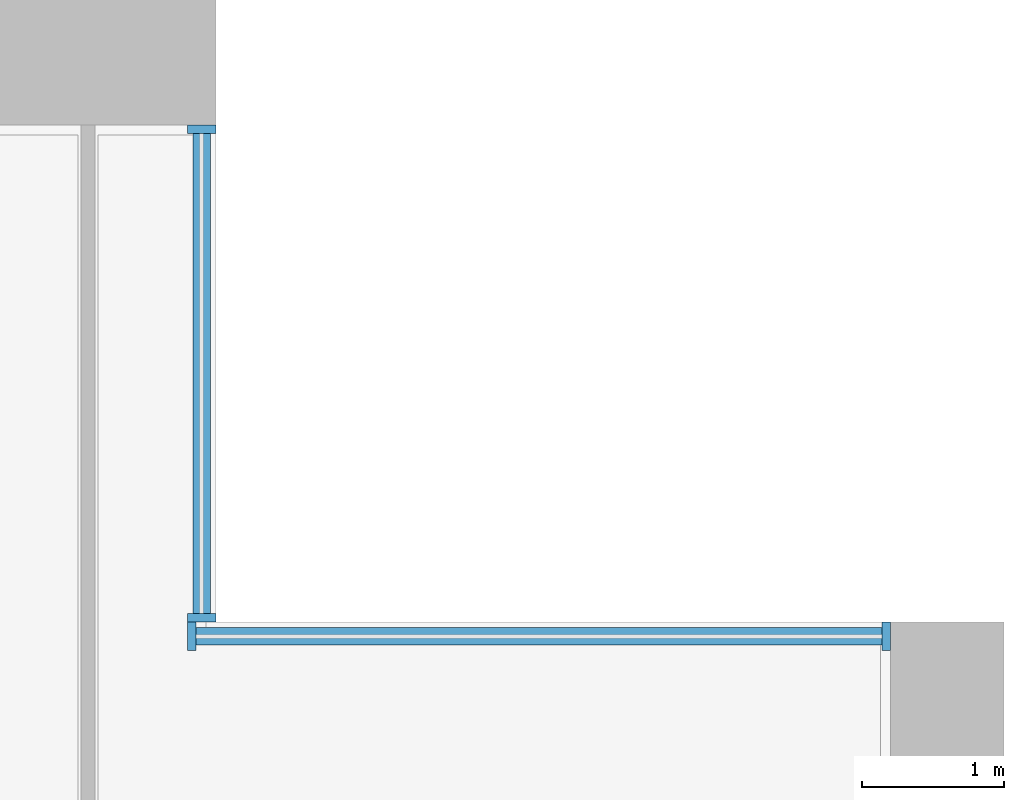
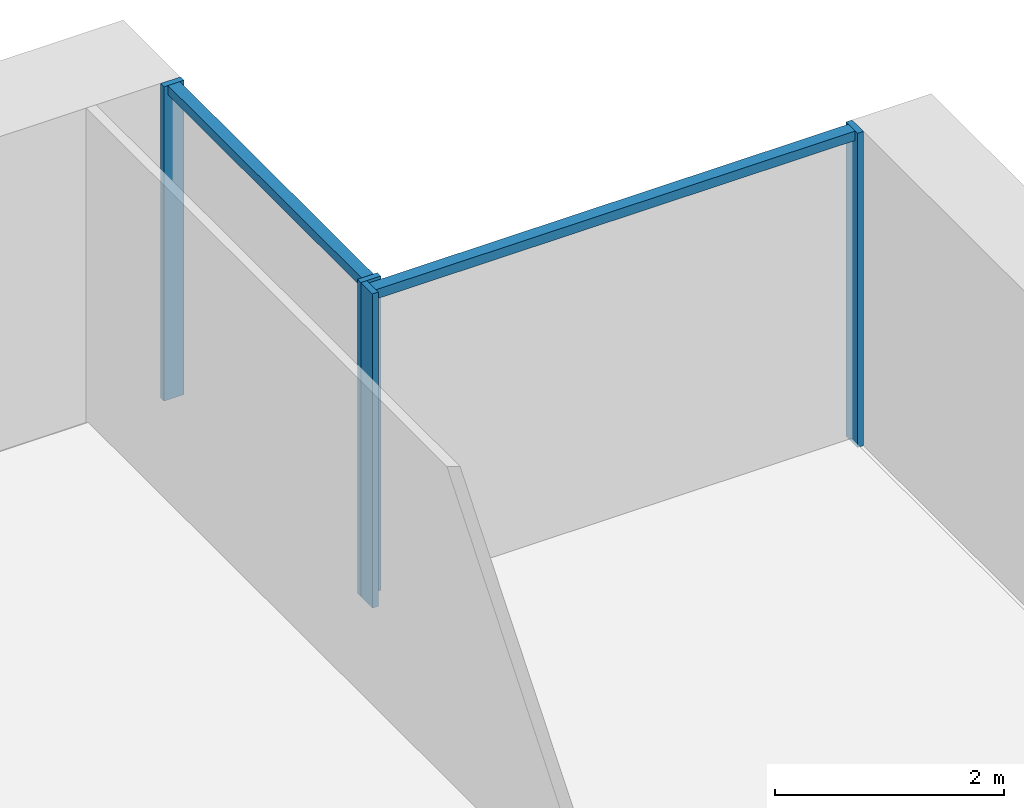
# One storey, part 6 of 18: 6 members, 2 elements without a shape of their own.
"""IFC4 building model written with IfcOpenShell, lengths in metres."""

from ifc_helpers import new_model, si_unit, direction, frame, origin, origin_2d, place, context, subcontext, project, spatial, rectangle, extrude, material, material_profile, profile_set, type_object, element, aggregate, save


model = new_model("IFC4")

# Units and contexts
model_context = context("Model", 3, precision=1e-05, world=origin(), true_north=direction((0.0, 1.0)))
body_context = subcontext(model_context, "Body", "Model", "MODEL_VIEW")
ifc_project = project(units=[si_unit("LENGTHUNIT", "METRE"), si_unit("AREAUNIT", "SQUARE_METRE"), si_unit("VOLUMEUNIT", "CUBIC_METRE"), si_unit("PLANEANGLEUNIT", "RADIAN"), si_unit("MASSUNIT", "GRAM", prefix="KILO")], contexts=[model_context])

# Site, building, storey
site_placement = place(None, origin())
site = spatial("IfcSite", under=ifc_project, at=site_placement, CompositionType="ELEMENT")
building_placement = place(site_placement, origin())
building = spatial("IfcBuilding", under=site, at=building_placement, Name="Calvaro Tower", CompositionType="ELEMENT")
storey_placement = place(building_placement, frame((0.0, 0.0, 45.0)))
storey = spatial("IfcBuildingStorey", under=building, at=storey_placement, Name="L10", CompositionType="ELEMENT", Elevation=45.0)

# Curtain wall, members
ifc_material_1 = material(Name="Anodised aluminium", Category="aluminium")
curtain_wall_type = type_object("IfcCurtainWallType", Name="Office curtain wall, lower zone", PredefinedType="NOTDEFINED", material=ifc_material_1)
curtain_wall_1_placement = place(storey_placement, origin())
curtain_wall_1 = element("IfcCurtainWall", 1, at=curtain_wall_1_placement, inside=storey, type_object=curtain_wall_type, Name="CW1 corner curtain wall", PredefinedType="NOTDEFINED")
ifc_material_2 = material(Name="Anodised aluminium", Category="aluminium")
ifc_material_profile_1 = material_profile(ifc_material_2, rectangle(XDim=0.199951171875, YDim=0.06005859375, at=origin_2d()), Name="Mullion S1 60 x 200")
ifc_profile_set_1 = profile_set([ifc_material_profile_1], Name="Anodised aluminium")
member_type_1 = type_object("IfcMemberType", Name="Mullion S1 60 x 200", PredefinedType="MULLION", material=ifc_profile_set_1)
member_1_placement = place(storey_placement, frame((72.35009765625, 41.530029296875, 0.0), z_axis=(0.0, 0.0, 1.0), x_axis=(-1.0, 0.0, 0.0)))
member_1 = element("IfcMember", 2, at=member_1_placement, type_object=member_type_1, Name="CW1 mullion 1", PredefinedType="MULLION", context=body_context, shape_type="SweptSolid", body=[
    extrude(rectangle(XDim=0.199951171875, YDim=0.06005859375, at=origin_2d()), origin(), (0.0, 0.0, 1.0), 3.35009765625),
])
member_2_placement = place(storey_placement, frame((72.35009765625, 44.969970703125, 0.0), z_axis=(0.0, 0.0, 1.0), x_axis=(-1.0, 0.0, 0.0)))
member_2 = element("IfcMember", 3, at=member_2_placement, type_object=member_type_1, Name="CW1 mullion 2", PredefinedType="MULLION", context=body_context, shape_type="SweptSolid", body=[
    extrude(rectangle(XDim=0.199951171875, YDim=0.06005859375, at=origin_2d()), origin(), (0.0, 0.0, 1.0), 3.35009765625),
])

curtain_wall_2_placement = place(storey_placement, origin())
curtain_wall_2 = element("IfcCurtainWall", 4, at=curtain_wall_2_placement, inside=storey, type_object=curtain_wall_type, Name="CW1 corner curtain wall", PredefinedType="NOTDEFINED")
member_3_placement = place(storey_placement, frame((72.280029296875, 41.39990234375, 0.0), z_axis=(0.0, 0.0, 1.0), x_axis=(0.0, 1.0, 0.0)))
member_3 = element("IfcMember", 5, at=member_3_placement, type_object=member_type_1, Name="CW1 mullion 1", PredefinedType="MULLION", context=body_context, shape_type="SweptSolid", body=[
    extrude(rectangle(XDim=0.199951171875, YDim=0.06005859375, at=origin_2d()), origin(), (0.0, 0.0, 1.0), 3.35009765625),
])
member_4_placement = place(storey_placement, frame((77.169921875, 41.39990234375, 0.0), z_axis=(0.0, 0.0, 1.0), x_axis=(0.0, 1.0, 0.0)))
member_4 = element("IfcMember", 6, at=member_4_placement, type_object=member_type_1, Name="CW1 mullion 2", PredefinedType="MULLION", context=body_context, shape_type="SweptSolid", body=[
    extrude(rectangle(XDim=0.199951171875, YDim=0.06005859375, at=origin_2d()), origin(), (0.0, 0.0, 1.0), 3.35009765625),
])

# Member
ifc_material_3 = material(Name="Anodised aluminium", Category="aluminium")
ifc_material_profile_2 = material_profile(ifc_material_3, rectangle(XDim=0.1201171875, YDim=0.10009765625, at=origin_2d()), Name="Transom S1 100 x 120")
ifc_profile_set_2 = profile_set([ifc_material_profile_2], Name="Anodised aluminium")
member_type_2 = type_object("IfcMemberType", Name="Transom S1 100 x 120", PredefinedType="USERDEFINED", material=ifc_profile_set_2)
member_5_placement = place(storey_placement, frame((72.35009765625, 41.56005859375, 3.300048828125), z_axis=(0.0, 1.0, 0.0), x_axis=(-1.0, 0.0, 0.0)))
member_5 = element("IfcMember", 7, at=member_5_placement, type_object=member_type_2, Name="CW1 transom 1.1", ObjectType="TRANSOM", PredefinedType="USERDEFINED", context=body_context, shape_type="SweptSolid", body=[
    extrude(rectangle(XDim=0.1201171875, YDim=0.10009765625, at=origin_2d()), origin(), (0.0, 0.0, 1.0), 3.3798828125),
])

aggregate(curtain_wall_1, [member_1, member_2, member_5])

member_6_placement = place(storey_placement, frame((72.31005859375, 41.39990234375, 3.300048828125), z_axis=(1.0, 0.0, 0.0), x_axis=(0.0, 1.0, 0.0)))
member_6 = element("IfcMember", 8, at=member_6_placement, type_object=member_type_2, Name="CW1 transom 1.1", ObjectType="TRANSOM", PredefinedType="USERDEFINED", context=body_context, shape_type="SweptSolid", body=[
    extrude(rectangle(XDim=0.1201171875, YDim=0.10009765625, at=origin_2d()), origin(), (0.0, 0.0, 1.0), 4.829833984375),
])

aggregate(curtain_wall_2, [member_3, member_4, member_6])

save(model, "model.ifc")
